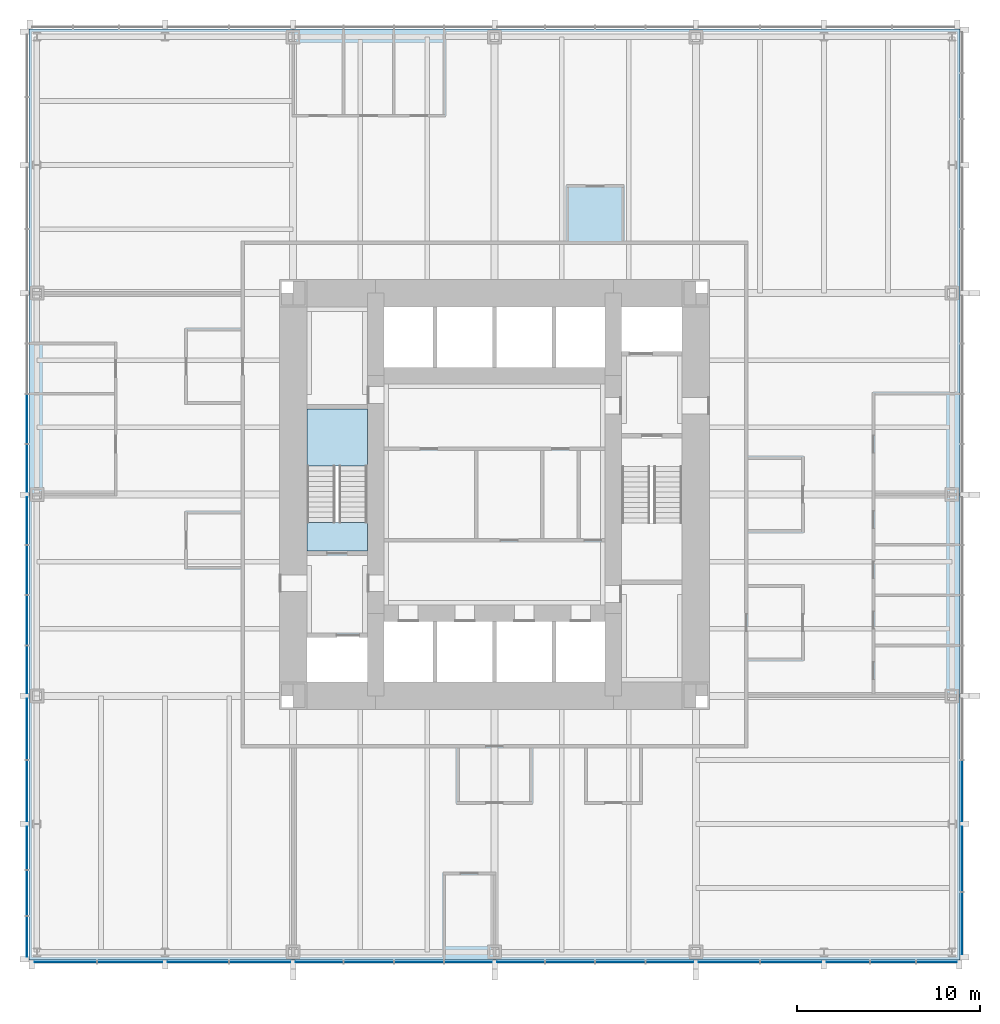
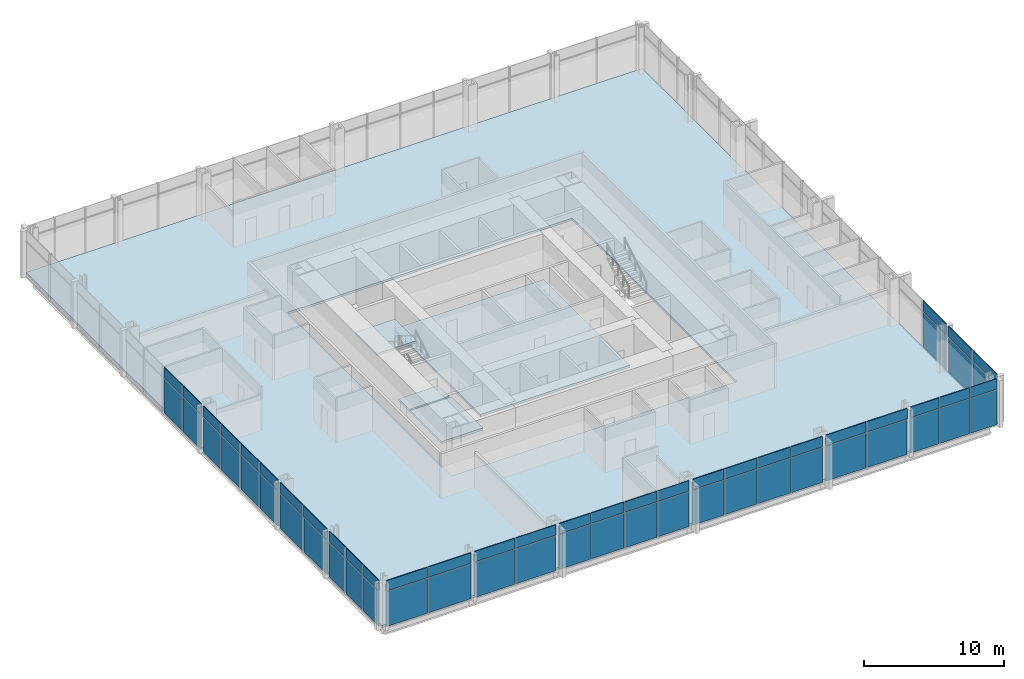
# One storey, part 7 of 12: 62 plates, 5 slabs, 4 elements without a shape of their own.
"""IFC4 building model written with IfcOpenShell, lengths in metres."""

from ifc_helpers import new_model, si_unit, direction, frame, origin, origin_2d, place, context, subcontext, project, spatial, polyline, rectangle, outline, extrude, material, layer, layer_set, type_object, element, aggregate, save


model = new_model("IFC4")

# Units and contexts
model_context = context("Model", 3, precision=1e-05, world=origin(), true_north=direction((0.0, 1.0)))
body_context = subcontext(model_context, "Body", "Model", "MODEL_VIEW")
ifc_project = project(units=[si_unit("LENGTHUNIT", "METRE"), si_unit("AREAUNIT", "SQUARE_METRE"), si_unit("VOLUMEUNIT", "CUBIC_METRE"), si_unit("PLANEANGLEUNIT", "RADIAN"), si_unit("MASSUNIT", "GRAM", prefix="KILO")], contexts=[model_context])

# Site, building, storey
site_placement = place(None, origin())
site = spatial("IfcSite", under=ifc_project, at=site_placement, CompositionType="ELEMENT")
building_placement = place(site_placement, origin())
building = spatial("IfcBuilding", under=site, at=building_placement, Name="Trevanion Tower", CompositionType="ELEMENT")
storey_placement = place(building_placement, frame((0.0, 0.0, 36.5)))
storey = spatial("IfcBuildingStorey", under=building, at=storey_placement, Name="L08", CompositionType="ELEMENT", Elevation=36.5)

# Curtain wall, plates
ifc_material_1 = material(Name="Aluminium and glass", Category="aluminium")
curtain_wall_type = type_object("IfcCurtainWallType", Name="CW1 curtain wall", PredefinedType="USERDEFINED", material=ifc_material_1)
curtain_wall_1_placement = place(storey_placement, origin())
curtain_wall_1 = element("IfcCurtainWall", 1, at=curtain_wall_1_placement, inside=storey, type_object=curtain_wall_type, Name="CW1 L08 0", ObjectType="UNITISED CURTAIN WALL", PredefinedType="USERDEFINED")
ifc_material_2 = material(Name="Aluminium spandrel panel", Category="aluminium")
ifc_layer_1 = layer(ifc_material_2, 0.06005859375)
ifc_layer_set_1 = layer_set([ifc_layer_1], Name="CW1 spandrel panel")
plate_type_1 = type_object("IfcPlateType", Name="CW1 spandrel panel", PredefinedType="CURTAIN_PANEL", material=ifc_layer_set_1)
plate_1_placement = place(storey_placement, frame((25.550048828125, -23.433837890625, 2.997314453125), z_axis=(0.0, 0.0, 1.0), x_axis=(0.0, 1.0, 0.0)))
plate_1 = element("IfcPlate", 2, at=plate_1_placement, type_object=plate_type_1, Name="CW1 panel 1.2", PredefinedType="CURTAIN_PANEL", context=body_context, shape_type="SweptSolid", body=[
    extrude(rectangle(XDim=3.37255859375, YDim=0.06005859375, at=origin_2d()), origin(), (0.0, 0.0, 1.0), 0.91259765625),
])
plate_2_placement = place(storey_placement, frame((25.550048828125, -19.911376953125, 2.997314453125), z_axis=(0.0, 0.0, 1.0), x_axis=(0.0, 1.0, 0.0)))
plate_2 = element("IfcPlate", 3, at=plate_2_placement, type_object=plate_type_1, Name="CW1 panel 2.2", PredefinedType="CURTAIN_PANEL", context=body_context, shape_type="SweptSolid", body=[
    extrude(rectangle(XDim=3.5224609375, YDim=0.06005859375, at=origin_2d()), origin(), (0.0, 0.0, 1.0), 0.91259765625),
])
plate_3_placement = place(storey_placement, frame((25.550048828125, -16.19384765625, 2.997314453125), z_axis=(0.0, 0.0, 1.0), x_axis=(0.0, 1.0, 0.0)))
plate_3 = element("IfcPlate", 4, at=plate_3_placement, type_object=plate_type_1, Name="CW1 panel 3.2", PredefinedType="CURTAIN_PANEL", context=body_context, shape_type="SweptSolid", body=[
    extrude(rectangle(XDim=3.3125, YDim=0.06005859375, at=origin_2d()), origin(), (0.0, 0.0, 1.0), 0.91259765625),
])

curtain_wall_2_placement = place(storey_placement, origin())
curtain_wall_2 = element("IfcCurtainWall", 5, at=curtain_wall_2_placement, inside=storey, type_object=curtain_wall_type, Name="CW1 L08 2", ObjectType="UNITISED CURTAIN WALL", PredefinedType="USERDEFINED")
plate_4_placement = place(storey_placement, frame((-25.550048828125, 4.125, 2.997314453125), z_axis=(0.0, 0.0, 1.0), x_axis=(0.0, -1.0, 0.0)))
plate_4 = element("IfcPlate", 6, at=plate_4_placement, type_object=plate_type_1, Name="CW1 panel 7.2", PredefinedType="CURTAIN_PANEL", context=body_context, shape_type="SweptSolid", body=[
    extrude(rectangle(XDim=2.675048828125, YDim=0.06005859375, at=origin_2d()), origin(), (0.0, 0.0, 1.0), 0.91259765625),
])
plate_5_placement = place(storey_placement, frame((-25.550048828125, 1.43115234375, 2.997314453125), z_axis=(0.0, 0.0, 1.0), x_axis=(0.0, -1.0, 0.0)))
plate_5 = element("IfcPlate", 7, at=plate_5_placement, type_object=plate_type_1, Name="CW1 panel 8.2", PredefinedType="CURTAIN_PANEL", context=body_context, shape_type="SweptSolid", body=[
    extrude(rectangle(XDim=2.5625, YDim=0.06005859375, at=origin_2d()), origin(), (0.0, 0.0, 1.0), 0.91259765625),
])
plate_6_placement = place(storey_placement, frame((-25.550048828125, -1.43115234375, 2.997314453125), z_axis=(0.0, 0.0, 1.0), x_axis=(0.0, -1.0, 0.0)))
plate_6 = element("IfcPlate", 8, at=plate_6_placement, type_object=plate_type_1, Name="CW1 panel 9.2", PredefinedType="CURTAIN_PANEL", context=body_context, shape_type="SweptSolid", body=[
    extrude(rectangle(XDim=2.5625, YDim=0.06005859375, at=origin_2d()), origin(), (0.0, 0.0, 1.0), 0.91259765625),
])
plate_7_placement = place(storey_placement, frame((-25.550048828125, -4.125, 2.997314453125), z_axis=(0.0, 0.0, 1.0), x_axis=(0.0, -1.0, 0.0)))
plate_7 = element("IfcPlate", 9, at=plate_7_placement, type_object=plate_type_1, Name="CW1 panel 10.2", PredefinedType="CURTAIN_PANEL", context=body_context, shape_type="SweptSolid", body=[
    extrude(rectangle(XDim=2.675048828125, YDim=0.06005859375, at=origin_2d()), origin(), (0.0, 0.0, 1.0), 0.91259765625),
])
plate_8_placement = place(storey_placement, frame((-25.550048828125, -6.875, 2.997314453125), z_axis=(0.0, 0.0, 1.0), x_axis=(0.0, -1.0, 0.0)))
plate_8 = element("IfcPlate", 10, at=plate_8_placement, type_object=plate_type_1, Name="CW1 panel 11.2", PredefinedType="CURTAIN_PANEL", context=body_context, shape_type="SweptSolid", body=[
    extrude(rectangle(XDim=2.675048828125, YDim=0.06005859375, at=origin_2d()), origin(), (0.0, 0.0, 1.0), 0.91259765625),
])
plate_9_placement = place(storey_placement, frame((-25.550048828125, -9.56884765625, 2.997314453125), z_axis=(0.0, 0.0, 1.0), x_axis=(0.0, -1.0, 0.0)))
plate_9 = element("IfcPlate", 11, at=plate_9_placement, type_object=plate_type_1, Name="CW1 panel 12.2", PredefinedType="CURTAIN_PANEL", context=body_context, shape_type="SweptSolid", body=[
    extrude(rectangle(XDim=2.5625, YDim=0.06005859375, at=origin_2d()), origin(), (0.0, 0.0, 1.0), 0.91259765625),
])
plate_10_placement = place(storey_placement, frame((-25.550048828125, -12.80615234375, 2.997314453125), z_axis=(0.0, 0.0, 1.0), x_axis=(0.0, -1.0, 0.0)))
plate_10 = element("IfcPlate", 12, at=plate_10_placement, type_object=plate_type_1, Name="CW1 panel 13.2", PredefinedType="CURTAIN_PANEL", context=body_context, shape_type="SweptSolid", body=[
    extrude(rectangle(XDim=3.3125, YDim=0.06005859375, at=origin_2d()), origin(), (0.0, 0.0, 1.0), 0.91259765625),
])
plate_11_placement = place(storey_placement, frame((-25.550048828125, -16.19384765625, 2.997314453125), z_axis=(0.0, 0.0, 1.0), x_axis=(0.0, -1.0, 0.0)))
plate_11 = element("IfcPlate", 13, at=plate_11_placement, type_object=plate_type_1, Name="CW1 panel 14.2", PredefinedType="CURTAIN_PANEL", context=body_context, shape_type="SweptSolid", body=[
    extrude(rectangle(XDim=3.3125, YDim=0.06005859375, at=origin_2d()), origin(), (0.0, 0.0, 1.0), 0.91259765625),
])
plate_12_placement = place(storey_placement, frame((-25.550048828125, -19.314697265625, 2.997314453125), z_axis=(0.0, 0.0, 1.0), x_axis=(0.0, -1.0, 0.0)))
plate_12 = element("IfcPlate", 14, at=plate_12_placement, type_object=plate_type_1, Name="CW1 panel 15.2", PredefinedType="CURTAIN_PANEL", context=body_context, shape_type="SweptSolid", body=[
    extrude(rectangle(XDim=2.3291015625, YDim=0.06005859375, at=origin_2d()), origin(), (0.0, 0.0, 1.0), 0.91259765625),
])
plate_13_placement = place(storey_placement, frame((-25.550048828125, -21.77490234375, 2.997314453125), z_axis=(0.0, 0.0, 1.0), x_axis=(0.0, -1.0, 0.0)))
plate_13 = element("IfcPlate", 15, at=plate_13_placement, type_object=plate_type_1, Name="CW1 panel 16.2", PredefinedType="CURTAIN_PANEL", context=body_context, shape_type="SweptSolid", body=[
    extrude(rectangle(XDim=2.441650390625, YDim=0.06005859375, at=origin_2d()), origin(), (0.0, 0.0, 1.0), 0.91259765625),
])
plate_14_placement = place(storey_placement, frame((-25.550048828125, -24.160400390625, 2.997314453125), z_axis=(0.0, 0.0, 1.0), x_axis=(0.0, -1.0, 0.0)))
plate_14 = element("IfcPlate", 16, at=plate_14_placement, type_object=plate_type_1, Name="CW1 panel 17.2", PredefinedType="CURTAIN_PANEL", context=body_context, shape_type="SweptSolid", body=[
    extrude(rectangle(XDim=2.17919921875, YDim=0.06005859375, at=origin_2d()), origin(), (0.0, 0.0, 1.0), 0.91259765625),
])

curtain_wall_3_placement = place(storey_placement, origin())
curtain_wall_3 = element("IfcCurtainWall", 17, at=curtain_wall_3_placement, inside=storey, type_object=curtain_wall_type, Name="CW1 L08 3", ObjectType="UNITISED CURTAIN WALL", PredefinedType="USERDEFINED")
plate_15_placement = place(storey_placement, frame((-23.433837890625, -25.550048828125, 2.997314453125), z_axis=(0.0, 0.0, 1.0), x_axis=(1.0, 0.0, 0.0)))
plate_15 = element("IfcPlate", 18, at=plate_15_placement, type_object=plate_type_1, Name="CW1 panel 1.2", PredefinedType="CURTAIN_PANEL", context=body_context, shape_type="SweptSolid", body=[
    extrude(rectangle(XDim=3.37255859375, YDim=0.06005859375, at=origin_2d()), origin(), (0.0, 0.0, 1.0), 0.91259765625),
])
plate_16_placement = place(storey_placement, frame((-19.911376953125, -25.550048828125, 2.997314453125), z_axis=(0.0, 0.0, 1.0), x_axis=(1.0, 0.0, 0.0)))
plate_16 = element("IfcPlate", 19, at=plate_16_placement, type_object=plate_type_1, Name="CW1 panel 2.2", PredefinedType="CURTAIN_PANEL", context=body_context, shape_type="SweptSolid", body=[
    extrude(rectangle(XDim=3.5224609375, YDim=0.06005859375, at=origin_2d()), origin(), (0.0, 0.0, 1.0), 0.91259765625),
])
plate_17_placement = place(storey_placement, frame((-16.19384765625, -25.550048828125, 2.997314453125), z_axis=(0.0, 0.0, 1.0), x_axis=(1.0, 0.0, 0.0)))
plate_17 = element("IfcPlate", 20, at=plate_17_placement, type_object=plate_type_1, Name="CW1 panel 3.2", PredefinedType="CURTAIN_PANEL", context=body_context, shape_type="SweptSolid", body=[
    extrude(rectangle(XDim=3.3125, YDim=0.06005859375, at=origin_2d()), origin(), (0.0, 0.0, 1.0), 0.91259765625),
])
plate_18_placement = place(storey_placement, frame((-12.806396484375, -25.550048828125, 2.997314453125), z_axis=(0.0, 0.0, 1.0), x_axis=(1.0, 0.0, 0.0)))
plate_18 = element("IfcPlate", 21, at=plate_18_placement, type_object=plate_type_1, Name="CW1 panel 4.2", PredefinedType="CURTAIN_PANEL", context=body_context, shape_type="SweptSolid", body=[
    extrude(rectangle(XDim=3.3125, YDim=0.06005859375, at=origin_2d()), origin(), (0.0, 0.0, 1.0), 0.91259765625),
])
plate_19_placement = place(storey_placement, frame((-9.56884765625, -25.550048828125, 2.997314453125), z_axis=(0.0, 0.0, 1.0), x_axis=(1.0, 0.0, 0.0)))
plate_19 = element("IfcPlate", 22, at=plate_19_placement, type_object=plate_type_1, Name="CW1 panel 5.2", PredefinedType="CURTAIN_PANEL", context=body_context, shape_type="SweptSolid", body=[
    extrude(rectangle(XDim=2.5625, YDim=0.06005859375, at=origin_2d()), origin(), (0.0, 0.0, 1.0), 0.91259765625),
])
plate_20_placement = place(storey_placement, frame((-6.875, -25.550048828125, 2.997314453125), z_axis=(0.0, 0.0, 1.0), x_axis=(1.0, 0.0, 0.0)))
plate_20 = element("IfcPlate", 23, at=plate_20_placement, type_object=plate_type_1, Name="CW1 panel 6.2", PredefinedType="CURTAIN_PANEL", context=body_context, shape_type="SweptSolid", body=[
    extrude(rectangle(XDim=2.675048828125, YDim=0.06005859375, at=origin_2d()), origin(), (0.0, 0.0, 1.0), 0.91259765625),
])
plate_21_placement = place(storey_placement, frame((-4.125, -25.550048828125, 2.997314453125), z_axis=(0.0, 0.0, 1.0), x_axis=(1.0, 0.0, 0.0)))
plate_21 = element("IfcPlate", 24, at=plate_21_placement, type_object=plate_type_1, Name="CW1 panel 7.2", PredefinedType="CURTAIN_PANEL", context=body_context, shape_type="SweptSolid", body=[
    extrude(rectangle(XDim=2.675048828125, YDim=0.06005859375, at=origin_2d()), origin(), (0.0, 0.0, 1.0), 0.91259765625),
])
plate_22_placement = place(storey_placement, frame((-1.43115234375, -25.550048828125, 2.997314453125), z_axis=(0.0, 0.0, 1.0), x_axis=(1.0, 0.0, 0.0)))
plate_22 = element("IfcPlate", 25, at=plate_22_placement, type_object=plate_type_1, Name="CW1 panel 8.2", PredefinedType="CURTAIN_PANEL", context=body_context, shape_type="SweptSolid", body=[
    extrude(rectangle(XDim=2.5625, YDim=0.06005859375, at=origin_2d()), origin(), (0.0, 0.0, 1.0), 0.91259765625),
])
plate_23_placement = place(storey_placement, frame((1.43115234375, -25.550048828125, 2.997314453125), z_axis=(0.0, 0.0, 1.0), x_axis=(1.0, 0.0, 0.0)))
plate_23 = element("IfcPlate", 26, at=plate_23_placement, type_object=plate_type_1, Name="CW1 panel 9.2", PredefinedType="CURTAIN_PANEL", context=body_context, shape_type="SweptSolid", body=[
    extrude(rectangle(XDim=2.5625, YDim=0.06005859375, at=origin_2d()), origin(), (0.0, 0.0, 1.0), 0.91259765625),
])
plate_24_placement = place(storey_placement, frame((4.125, -25.550048828125, 2.997314453125), z_axis=(0.0, 0.0, 1.0), x_axis=(1.0, 0.0, 0.0)))
plate_24 = element("IfcPlate", 27, at=plate_24_placement, type_object=plate_type_1, Name="CW1 panel 10.2", PredefinedType="CURTAIN_PANEL", context=body_context, shape_type="SweptSolid", body=[
    extrude(rectangle(XDim=2.675048828125, YDim=0.06005859375, at=origin_2d()), origin(), (0.0, 0.0, 1.0), 0.91259765625),
])
plate_25_placement = place(storey_placement, frame((6.875, -25.550048828125, 2.997314453125), z_axis=(0.0, 0.0, 1.0), x_axis=(1.0, 0.0, 0.0)))
plate_25 = element("IfcPlate", 28, at=plate_25_placement, type_object=plate_type_1, Name="CW1 panel 11.2", PredefinedType="CURTAIN_PANEL", context=body_context, shape_type="SweptSolid", body=[
    extrude(rectangle(XDim=2.675048828125, YDim=0.06005859375, at=origin_2d()), origin(), (0.0, 0.0, 1.0), 0.91259765625),
])
plate_26_placement = place(storey_placement, frame((9.56884765625, -25.550048828125, 2.997314453125), z_axis=(0.0, 0.0, 1.0), x_axis=(1.0, 0.0, 0.0)))
plate_26 = element("IfcPlate", 29, at=plate_26_placement, type_object=plate_type_1, Name="CW1 panel 12.2", PredefinedType="CURTAIN_PANEL", context=body_context, shape_type="SweptSolid", body=[
    extrude(rectangle(XDim=2.5625, YDim=0.06005859375, at=origin_2d()), origin(), (0.0, 0.0, 1.0), 0.91259765625),
])
plate_27_placement = place(storey_placement, frame((12.80615234375, -25.550048828125, 2.997314453125), z_axis=(0.0, 0.0, 1.0), x_axis=(1.0, 0.0, 0.0)))
plate_27 = element("IfcPlate", 30, at=plate_27_placement, type_object=plate_type_1, Name="CW1 panel 13.2", PredefinedType="CURTAIN_PANEL", context=body_context, shape_type="SweptSolid", body=[
    extrude(rectangle(XDim=3.3125, YDim=0.06005859375, at=origin_2d()), origin(), (0.0, 0.0, 1.0), 0.91259765625),
])
plate_28_placement = place(storey_placement, frame((16.19384765625, -25.550048828125, 2.997314453125), z_axis=(0.0, 0.0, 1.0), x_axis=(1.0, 0.0, 0.0)))
plate_28 = element("IfcPlate", 31, at=plate_28_placement, type_object=plate_type_1, Name="CW1 panel 14.2", PredefinedType="CURTAIN_PANEL", context=body_context, shape_type="SweptSolid", body=[
    extrude(rectangle(XDim=3.3125, YDim=0.06005859375, at=origin_2d()), origin(), (0.0, 0.0, 1.0), 0.91259765625),
])
plate_29_placement = place(storey_placement, frame((19.314697265625, -25.550048828125, 2.997314453125), z_axis=(0.0, 0.0, 1.0), x_axis=(1.0, 0.0, 0.0)))
plate_29 = element("IfcPlate", 32, at=plate_29_placement, type_object=plate_type_1, Name="CW1 panel 15.2", PredefinedType="CURTAIN_PANEL", context=body_context, shape_type="SweptSolid", body=[
    extrude(rectangle(XDim=2.3291015625, YDim=0.06005859375, at=origin_2d()), origin(), (0.0, 0.0, 1.0), 0.91259765625),
])
plate_30_placement = place(storey_placement, frame((21.77490234375, -25.550048828125, 2.997314453125), z_axis=(0.0, 0.0, 1.0), x_axis=(1.0, 0.0, 0.0)))
plate_30 = element("IfcPlate", 33, at=plate_30_placement, type_object=plate_type_1, Name="CW1 panel 16.2", PredefinedType="CURTAIN_PANEL", context=body_context, shape_type="SweptSolid", body=[
    extrude(rectangle(XDim=2.441650390625, YDim=0.06005859375, at=origin_2d()), origin(), (0.0, 0.0, 1.0), 0.91259765625),
])
plate_31_placement = place(storey_placement, frame((24.160400390625, -25.550048828125, 2.997314453125), z_axis=(0.0, 0.0, 1.0), x_axis=(1.0, 0.0, 0.0)))
plate_31 = element("IfcPlate", 34, at=plate_31_placement, type_object=plate_type_1, Name="CW1 panel 17.2", PredefinedType="CURTAIN_PANEL", context=body_context, shape_type="SweptSolid", body=[
    extrude(rectangle(XDim=2.17919921875, YDim=0.06005859375, at=origin_2d()), origin(), (0.0, 0.0, 1.0), 0.91259765625),
])

# Plate
ifc_material_3 = material(Name="Insulating glass unit", Category="glass")
ifc_layer_2 = layer(ifc_material_3, 0.028076171875)
ifc_layer_set_2 = layer_set([ifc_layer_2], Name="CW1 vision panel")
plate_type_2 = type_object("IfcPlateType", Name="CW1 vision panel", PredefinedType="CURTAIN_PANEL", material=ifc_layer_set_2)
plate_32_placement = place(storey_placement, frame((25.550048828125, -23.433837890625, -0.114990234375), z_axis=(0.0, 0.0, 1.0), x_axis=(0.0, 1.0, 0.0)))
plate_32 = element("IfcPlate", 35, at=plate_32_placement, type_object=plate_type_2, Name="CW1 panel 1.1", PredefinedType="CURTAIN_PANEL", context=body_context, shape_type="SweptSolid", body=[
    extrude(rectangle(XDim=3.37255859375, YDim=0.028076171875, at=origin_2d()), origin(), (0.0, 0.0, 1.0), 3.03759765625),
])

plate_33_placement = place(storey_placement, frame((25.550048828125, -19.911376953125, -0.114990234375), z_axis=(0.0, 0.0, 1.0), x_axis=(0.0, 1.0, 0.0)))
plate_33 = element("IfcPlate", 36, at=plate_33_placement, type_object=plate_type_2, Name="CW1 panel 2.1", PredefinedType="CURTAIN_PANEL", context=body_context, shape_type="SweptSolid", body=[
    extrude(rectangle(XDim=3.5224609375, YDim=0.028076171875, at=origin_2d()), origin(), (0.0, 0.0, 1.0), 3.03759765625),
])

plate_34_placement = place(storey_placement, frame((25.550048828125, -16.19384765625, -0.114990234375), z_axis=(0.0, 0.0, 1.0), x_axis=(0.0, 1.0, 0.0)))
plate_34 = element("IfcPlate", 37, at=plate_34_placement, type_object=plate_type_2, Name="CW1 panel 3.1", PredefinedType="CURTAIN_PANEL", context=body_context, shape_type="SweptSolid", body=[
    extrude(rectangle(XDim=3.3125, YDim=0.028076171875, at=origin_2d()), origin(), (0.0, 0.0, 1.0), 3.03759765625),
])

aggregate(curtain_wall_1, [plate_32, plate_1, plate_33, plate_2, plate_34, plate_3])

plate_35_placement = place(storey_placement, frame((-25.550048828125, 4.125, -0.114990234375), z_axis=(0.0, 0.0, 1.0), x_axis=(0.0, -1.0, 0.0)))
plate_35 = element("IfcPlate", 38, at=plate_35_placement, type_object=plate_type_2, Name="CW1 panel 7.1", PredefinedType="CURTAIN_PANEL", context=body_context, shape_type="SweptSolid", body=[
    extrude(rectangle(XDim=2.675048828125, YDim=0.028076171875, at=origin_2d()), origin(), (0.0, 0.0, 1.0), 3.03759765625),
])

plate_36_placement = place(storey_placement, frame((-25.550048828125, 1.43115234375, -0.114990234375), z_axis=(0.0, 0.0, 1.0), x_axis=(0.0, -1.0, 0.0)))
plate_36 = element("IfcPlate", 39, at=plate_36_placement, type_object=plate_type_2, Name="CW1 panel 8.1", PredefinedType="CURTAIN_PANEL", context=body_context, shape_type="SweptSolid", body=[
    extrude(rectangle(XDim=2.5625, YDim=0.028076171875, at=origin_2d()), origin(), (0.0, 0.0, 1.0), 3.03759765625),
])

plate_37_placement = place(storey_placement, frame((-25.550048828125, -1.43115234375, -0.114990234375), z_axis=(0.0, 0.0, 1.0), x_axis=(0.0, -1.0, 0.0)))
plate_37 = element("IfcPlate", 40, at=plate_37_placement, type_object=plate_type_2, Name="CW1 panel 9.1", PredefinedType="CURTAIN_PANEL", context=body_context, shape_type="SweptSolid", body=[
    extrude(rectangle(XDim=2.5625, YDim=0.028076171875, at=origin_2d()), origin(), (0.0, 0.0, 1.0), 3.03759765625),
])

plate_38_placement = place(storey_placement, frame((-25.550048828125, -4.125, -0.114990234375), z_axis=(0.0, 0.0, 1.0), x_axis=(0.0, -1.0, 0.0)))
plate_38 = element("IfcPlate", 41, at=plate_38_placement, type_object=plate_type_2, Name="CW1 panel 10.1", PredefinedType="CURTAIN_PANEL", context=body_context, shape_type="SweptSolid", body=[
    extrude(rectangle(XDim=2.675048828125, YDim=0.028076171875, at=origin_2d()), origin(), (0.0, 0.0, 1.0), 3.03759765625),
])

plate_39_placement = place(storey_placement, frame((-25.550048828125, -6.875, -0.114990234375), z_axis=(0.0, 0.0, 1.0), x_axis=(0.0, -1.0, 0.0)))
plate_39 = element("IfcPlate", 42, at=plate_39_placement, type_object=plate_type_2, Name="CW1 panel 11.1", PredefinedType="CURTAIN_PANEL", context=body_context, shape_type="SweptSolid", body=[
    extrude(rectangle(XDim=2.675048828125, YDim=0.028076171875, at=origin_2d()), origin(), (0.0, 0.0, 1.0), 3.03759765625),
])

plate_40_placement = place(storey_placement, frame((-25.550048828125, -9.56884765625, -0.114990234375), z_axis=(0.0, 0.0, 1.0), x_axis=(0.0, -1.0, 0.0)))
plate_40 = element("IfcPlate", 43, at=plate_40_placement, type_object=plate_type_2, Name="CW1 panel 12.1", PredefinedType="CURTAIN_PANEL", context=body_context, shape_type="SweptSolid", body=[
    extrude(rectangle(XDim=2.5625, YDim=0.028076171875, at=origin_2d()), origin(), (0.0, 0.0, 1.0), 3.03759765625),
])

plate_41_placement = place(storey_placement, frame((-25.550048828125, -12.80615234375, -0.114990234375), z_axis=(0.0, 0.0, 1.0), x_axis=(0.0, -1.0, 0.0)))
plate_41 = element("IfcPlate", 44, at=plate_41_placement, type_object=plate_type_2, Name="CW1 panel 13.1", PredefinedType="CURTAIN_PANEL", context=body_context, shape_type="SweptSolid", body=[
    extrude(rectangle(XDim=3.3125, YDim=0.028076171875, at=origin_2d()), origin(), (0.0, 0.0, 1.0), 3.03759765625),
])

plate_42_placement = place(storey_placement, frame((-25.550048828125, -16.19384765625, -0.114990234375), z_axis=(0.0, 0.0, 1.0), x_axis=(0.0, -1.0, 0.0)))
plate_42 = element("IfcPlate", 45, at=plate_42_placement, type_object=plate_type_2, Name="CW1 panel 14.1", PredefinedType="CURTAIN_PANEL", context=body_context, shape_type="SweptSolid", body=[
    extrude(rectangle(XDim=3.3125, YDim=0.028076171875, at=origin_2d()), origin(), (0.0, 0.0, 1.0), 3.03759765625),
])

plate_43_placement = place(storey_placement, frame((-25.550048828125, -19.314697265625, -0.114990234375), z_axis=(0.0, 0.0, 1.0), x_axis=(0.0, -1.0, 0.0)))
plate_43 = element("IfcPlate", 46, at=plate_43_placement, type_object=plate_type_2, Name="CW1 panel 15.1", PredefinedType="CURTAIN_PANEL", context=body_context, shape_type="SweptSolid", body=[
    extrude(rectangle(XDim=2.3291015625, YDim=0.028076171875, at=origin_2d()), origin(), (0.0, 0.0, 1.0), 3.03759765625),
])

plate_44_placement = place(storey_placement, frame((-25.550048828125, -21.77490234375, -0.114990234375), z_axis=(0.0, 0.0, 1.0), x_axis=(0.0, -1.0, 0.0)))
plate_44 = element("IfcPlate", 47, at=plate_44_placement, type_object=plate_type_2, Name="CW1 panel 16.1", PredefinedType="CURTAIN_PANEL", context=body_context, shape_type="SweptSolid", body=[
    extrude(rectangle(XDim=2.441650390625, YDim=0.028076171875, at=origin_2d()), origin(), (0.0, 0.0, 1.0), 3.03759765625),
])

plate_45_placement = place(storey_placement, frame((-25.550048828125, -24.160400390625, -0.114990234375), z_axis=(0.0, 0.0, 1.0), x_axis=(0.0, -1.0, 0.0)))
plate_45 = element("IfcPlate", 48, at=plate_45_placement, type_object=plate_type_2, Name="CW1 panel 17.1", PredefinedType="CURTAIN_PANEL", context=body_context, shape_type="SweptSolid", body=[
    extrude(rectangle(XDim=2.17919921875, YDim=0.028076171875, at=origin_2d()), origin(), (0.0, 0.0, 1.0), 3.03759765625),
])

aggregate(curtain_wall_2, [plate_35, plate_4, plate_36, plate_5, plate_37, plate_6, plate_38, plate_7, plate_39, plate_8, plate_40, plate_9, plate_41, plate_10, plate_42, plate_11, plate_43, plate_12, plate_44, plate_13, plate_45, plate_14])

plate_46_placement = place(storey_placement, frame((-23.433837890625, -25.550048828125, -0.114990234375), z_axis=(0.0, 0.0, 1.0), x_axis=(1.0, 0.0, 0.0)))
plate_46 = element("IfcPlate", 49, at=plate_46_placement, type_object=plate_type_2, Name="CW1 panel 1.1", PredefinedType="CURTAIN_PANEL", context=body_context, shape_type="SweptSolid", body=[
    extrude(rectangle(XDim=3.37255859375, YDim=0.028076171875, at=origin_2d()), origin(), (0.0, 0.0, 1.0), 3.03759765625),
])

plate_47_placement = place(storey_placement, frame((-19.911376953125, -25.550048828125, -0.114990234375), z_axis=(0.0, 0.0, 1.0), x_axis=(1.0, 0.0, 0.0)))
plate_47 = element("IfcPlate", 50, at=plate_47_placement, type_object=plate_type_2, Name="CW1 panel 2.1", PredefinedType="CURTAIN_PANEL", context=body_context, shape_type="SweptSolid", body=[
    extrude(rectangle(XDim=3.5224609375, YDim=0.028076171875, at=origin_2d()), origin(), (0.0, 0.0, 1.0), 3.03759765625),
])

plate_48_placement = place(storey_placement, frame((-16.19384765625, -25.550048828125, -0.114990234375), z_axis=(0.0, 0.0, 1.0), x_axis=(1.0, 0.0, 0.0)))
plate_48 = element("IfcPlate", 51, at=plate_48_placement, type_object=plate_type_2, Name="CW1 panel 3.1", PredefinedType="CURTAIN_PANEL", context=body_context, shape_type="SweptSolid", body=[
    extrude(rectangle(XDim=3.3125, YDim=0.028076171875, at=origin_2d()), origin(), (0.0, 0.0, 1.0), 3.03759765625),
])

plate_49_placement = place(storey_placement, frame((-12.806396484375, -25.550048828125, -0.114990234375), z_axis=(0.0, 0.0, 1.0), x_axis=(1.0, 0.0, 0.0)))
plate_49 = element("IfcPlate", 52, at=plate_49_placement, type_object=plate_type_2, Name="CW1 panel 4.1", PredefinedType="CURTAIN_PANEL", context=body_context, shape_type="SweptSolid", body=[
    extrude(rectangle(XDim=3.3125, YDim=0.028076171875, at=origin_2d()), origin(), (0.0, 0.0, 1.0), 3.03759765625),
])

plate_50_placement = place(storey_placement, frame((-9.56884765625, -25.550048828125, -0.114990234375), z_axis=(0.0, 0.0, 1.0), x_axis=(1.0, 0.0, 0.0)))
plate_50 = element("IfcPlate", 53, at=plate_50_placement, type_object=plate_type_2, Name="CW1 panel 5.1", PredefinedType="CURTAIN_PANEL", context=body_context, shape_type="SweptSolid", body=[
    extrude(rectangle(XDim=2.5625, YDim=0.028076171875, at=origin_2d()), origin(), (0.0, 0.0, 1.0), 3.03759765625),
])

plate_51_placement = place(storey_placement, frame((-6.875, -25.550048828125, -0.114990234375), z_axis=(0.0, 0.0, 1.0), x_axis=(1.0, 0.0, 0.0)))
plate_51 = element("IfcPlate", 54, at=plate_51_placement, type_object=plate_type_2, Name="CW1 panel 6.1", PredefinedType="CURTAIN_PANEL", context=body_context, shape_type="SweptSolid", body=[
    extrude(rectangle(XDim=2.675048828125, YDim=0.028076171875, at=origin_2d()), origin(), (0.0, 0.0, 1.0), 3.03759765625),
])

plate_52_placement = place(storey_placement, frame((-4.125, -25.550048828125, -0.114990234375), z_axis=(0.0, 0.0, 1.0), x_axis=(1.0, 0.0, 0.0)))
plate_52 = element("IfcPlate", 55, at=plate_52_placement, type_object=plate_type_2, Name="CW1 panel 7.1", PredefinedType="CURTAIN_PANEL", context=body_context, shape_type="SweptSolid", body=[
    extrude(rectangle(XDim=2.675048828125, YDim=0.028076171875, at=origin_2d()), origin(), (0.0, 0.0, 1.0), 3.03759765625),
])

plate_53_placement = place(storey_placement, frame((-1.43115234375, -25.550048828125, -0.114990234375), z_axis=(0.0, 0.0, 1.0), x_axis=(1.0, 0.0, 0.0)))
plate_53 = element("IfcPlate", 56, at=plate_53_placement, type_object=plate_type_2, Name="CW1 panel 8.1", PredefinedType="CURTAIN_PANEL", context=body_context, shape_type="SweptSolid", body=[
    extrude(rectangle(XDim=2.5625, YDim=0.028076171875, at=origin_2d()), origin(), (0.0, 0.0, 1.0), 3.03759765625),
])

plate_54_placement = place(storey_placement, frame((1.43115234375, -25.550048828125, -0.114990234375), z_axis=(0.0, 0.0, 1.0), x_axis=(1.0, 0.0, 0.0)))
plate_54 = element("IfcPlate", 57, at=plate_54_placement, type_object=plate_type_2, Name="CW1 panel 9.1", PredefinedType="CURTAIN_PANEL", context=body_context, shape_type="SweptSolid", body=[
    extrude(rectangle(XDim=2.5625, YDim=0.028076171875, at=origin_2d()), origin(), (0.0, 0.0, 1.0), 3.03759765625),
])

plate_55_placement = place(storey_placement, frame((4.125, -25.550048828125, -0.114990234375), z_axis=(0.0, 0.0, 1.0), x_axis=(1.0, 0.0, 0.0)))
plate_55 = element("IfcPlate", 58, at=plate_55_placement, type_object=plate_type_2, Name="CW1 panel 10.1", PredefinedType="CURTAIN_PANEL", context=body_context, shape_type="SweptSolid", body=[
    extrude(rectangle(XDim=2.675048828125, YDim=0.028076171875, at=origin_2d()), origin(), (0.0, 0.0, 1.0), 3.03759765625),
])

plate_56_placement = place(storey_placement, frame((6.875, -25.550048828125, -0.114990234375), z_axis=(0.0, 0.0, 1.0), x_axis=(1.0, 0.0, 0.0)))
plate_56 = element("IfcPlate", 59, at=plate_56_placement, type_object=plate_type_2, Name="CW1 panel 11.1", PredefinedType="CURTAIN_PANEL", context=body_context, shape_type="SweptSolid", body=[
    extrude(rectangle(XDim=2.675048828125, YDim=0.028076171875, at=origin_2d()), origin(), (0.0, 0.0, 1.0), 3.03759765625),
])

plate_57_placement = place(storey_placement, frame((9.56884765625, -25.550048828125, -0.114990234375), z_axis=(0.0, 0.0, 1.0), x_axis=(1.0, 0.0, 0.0)))
plate_57 = element("IfcPlate", 60, at=plate_57_placement, type_object=plate_type_2, Name="CW1 panel 12.1", PredefinedType="CURTAIN_PANEL", context=body_context, shape_type="SweptSolid", body=[
    extrude(rectangle(XDim=2.5625, YDim=0.028076171875, at=origin_2d()), origin(), (0.0, 0.0, 1.0), 3.03759765625),
])

plate_58_placement = place(storey_placement, frame((12.80615234375, -25.550048828125, -0.114990234375), z_axis=(0.0, 0.0, 1.0), x_axis=(1.0, 0.0, 0.0)))
plate_58 = element("IfcPlate", 61, at=plate_58_placement, type_object=plate_type_2, Name="CW1 panel 13.1", PredefinedType="CURTAIN_PANEL", context=body_context, shape_type="SweptSolid", body=[
    extrude(rectangle(XDim=3.3125, YDim=0.028076171875, at=origin_2d()), origin(), (0.0, 0.0, 1.0), 3.03759765625),
])

plate_59_placement = place(storey_placement, frame((16.19384765625, -25.550048828125, -0.114990234375), z_axis=(0.0, 0.0, 1.0), x_axis=(1.0, 0.0, 0.0)))
plate_59 = element("IfcPlate", 62, at=plate_59_placement, type_object=plate_type_2, Name="CW1 panel 14.1", PredefinedType="CURTAIN_PANEL", context=body_context, shape_type="SweptSolid", body=[
    extrude(rectangle(XDim=3.3125, YDim=0.028076171875, at=origin_2d()), origin(), (0.0, 0.0, 1.0), 3.03759765625),
])

plate_60_placement = place(storey_placement, frame((19.314697265625, -25.550048828125, -0.114990234375), z_axis=(0.0, 0.0, 1.0), x_axis=(1.0, 0.0, 0.0)))
plate_60 = element("IfcPlate", 63, at=plate_60_placement, type_object=plate_type_2, Name="CW1 panel 15.1", PredefinedType="CURTAIN_PANEL", context=body_context, shape_type="SweptSolid", body=[
    extrude(rectangle(XDim=2.3291015625, YDim=0.028076171875, at=origin_2d()), origin(), (0.0, 0.0, 1.0), 3.03759765625),
])

plate_61_placement = place(storey_placement, frame((21.77490234375, -25.550048828125, -0.114990234375), z_axis=(0.0, 0.0, 1.0), x_axis=(1.0, 0.0, 0.0)))
plate_61 = element("IfcPlate", 64, at=plate_61_placement, type_object=plate_type_2, Name="CW1 panel 16.1", PredefinedType="CURTAIN_PANEL", context=body_context, shape_type="SweptSolid", body=[
    extrude(rectangle(XDim=2.441650390625, YDim=0.028076171875, at=origin_2d()), origin(), (0.0, 0.0, 1.0), 3.03759765625),
])

plate_62_placement = place(storey_placement, frame((24.160400390625, -25.550048828125, -0.114990234375), z_axis=(0.0, 0.0, 1.0), x_axis=(1.0, 0.0, 0.0)))
plate_62 = element("IfcPlate", 65, at=plate_62_placement, type_object=plate_type_2, Name="CW1 panel 17.1", PredefinedType="CURTAIN_PANEL", context=body_context, shape_type="SweptSolid", body=[
    extrude(rectangle(XDim=2.17919921875, YDim=0.028076171875, at=origin_2d()), origin(), (0.0, 0.0, 1.0), 3.03759765625),
])

aggregate(curtain_wall_3, [plate_46, plate_15, plate_47, plate_16, plate_48, plate_17, plate_49, plate_18, plate_50, plate_19, plate_51, plate_20, plate_52, plate_21, plate_53, plate_22, plate_54, plate_23, plate_55, plate_24, plate_56, plate_25, plate_57, plate_26, plate_58, plate_27, plate_59, plate_28, plate_60, plate_29, plate_61, plate_30, plate_62, plate_31])

# Slabs
ifc_material_4 = material(Name="Concrete 5,000 psi on composite metal deck", Category="concrete")
ifc_layer_3 = layer(ifc_material_4, 0.18994140625)
ifc_layer_set_3 = layer_set([ifc_layer_3], Name="SL1 composite floor 190")
slab_type_1 = type_object("IfcSlabType", Name="SL1 composite floor 190", PredefinedType="FLOOR", material=ifc_layer_set_3)
slab_1_placement = place(storey_placement, frame((0.0, 0.0, -0.18994140625)))
element("IfcSlab", 66, at=slab_1_placement, inside=storey, type_object=slab_type_1, Name="SL1 L08 floor", PredefinedType="FLOOR", context=body_context, shape_type="SweptSolid", body=[
    extrude(outline(polyline([(25.419921875, -25.419921875), (25.419921875, 25.419921875), (-25.419921875, 25.419921875), (-25.419921875, -25.419921875), (25.419921875, -25.419921875)]), holes=[polyline([(11.75, -11.75), (11.75, 11.75), (-11.75, 11.75), (-11.75, -11.75), (11.75, -11.75)])]), origin(), (0.0, 0.0, 1.0), 0.18994140625),
])
ifc_material_5 = material(Name="Concrete 5,000 psi", Category="concrete")
ifc_layer_4 = layer(ifc_material_5, 0.199951171875)
ifc_layer_set_4 = layer_set([ifc_layer_4], Name="SL2 core floor 200")
slab_type_2 = type_object("IfcSlabType", Name="SL2 core floor 200", PredefinedType="FLOOR", material=ifc_layer_set_4)
slab_2_placement = place(storey_placement, frame((0.0, 0.0, -0.199951171875)))
element("IfcSlab", 67, at=slab_2_placement, inside=storey, type_object=slab_type_2, Name="SL2 L08 core floor 2", PredefinedType="FLOOR", context=body_context, shape_type="SweptSolid", body=[
    extrude(outline(polyline([(-6.830078125, -3.205078125), (-6.830078125, -7.695068359375), (-10.25, -7.695068359375), (-10.25, -3.205078125), (-6.830078125, -3.205078125)])), origin(), (0.0, 0.0, 1.0), 0.199951171875),
])
slab_3_placement = place(storey_placement, frame((0.0, 0.0, -0.199951171875)))
element("IfcSlab", 68, at=slab_3_placement, inside=storey, type_object=slab_type_2, Name="SL2 L08 core floor 3", PredefinedType="FLOOR", context=body_context, shape_type="SweptSolid", body=[
    extrude(outline(polyline([(6.169921875, -6.169921875), (-6.169921875, -6.169921875), (-6.169921875, 6.169921875), (6.169921875, 6.169921875), (6.169921875, -6.169921875)])), origin(), (0.0, 0.0, 1.0), 0.199951171875),
])

# Stair, slabs
ifc_material_6 = material(Name="Concrete 5,000 psi on steel stringers", Category="concrete")
stair_type = type_object("IfcStairType", Name="ST stair", PredefinedType="HALF_TURN_STAIR", material=ifc_material_6)
stair_placement = place(storey_placement, origin())
stair = element("IfcStair", 69, at=stair_placement, inside=storey, type_object=stair_type, Name="ST2 L08", PredefinedType="HALF_TURN_STAIR")
ifc_material_7 = material(Name="Concrete 5,000 psi in steel pan", Category="concrete")
ifc_layer_5 = layer(ifc_material_7, 0.199951171875)
ifc_layer_set_5 = layer_set([ifc_layer_5], Name="STL stair landing 200")
slab_type_3 = type_object("IfcSlabType", Name="STL stair landing 200", PredefinedType="LANDING", material=ifc_layer_set_5)
slab_4_placement = place(storey_placement, frame((0.0, 0.0, -0.199951171875)))
slab_4 = element("IfcSlab", 70, at=slab_4_placement, type_object=slab_type_3, Name="ST2 landing 1", PredefinedType="LANDING", context=body_context, shape_type="SweptSolid", body=[
    extrude(outline(polyline([(-6.949951171875, -1.52490234375), (-10.25, -1.52490234375), (-10.25, -3.074951171875), (-6.949951171875, -3.074951171875), (-6.949951171875, -1.52490234375)])), origin(), (0.0, 0.0, 1.0), 0.199951171875),
])
slab_5_placement = place(storey_placement, frame((0.0, 0.0, 1.85009765625)))
slab_5 = element("IfcSlab", 71, at=slab_5_placement, type_object=slab_type_3, Name="ST2 landing 2", PredefinedType="LANDING", context=body_context, shape_type="SweptSolid", body=[
    extrude(outline(polyline([(-6.949951171875, 4.675048828125), (-10.25, 4.675048828125), (-10.25, 1.554931640625), (-6.949951171875, 1.554931640625), (-6.949951171875, 4.675048828125)])), origin(), (0.0, 0.0, 1.0), 0.199951171875),
])
aggregate(stair, [slab_4, slab_5])

save(model, "model.ifc")
